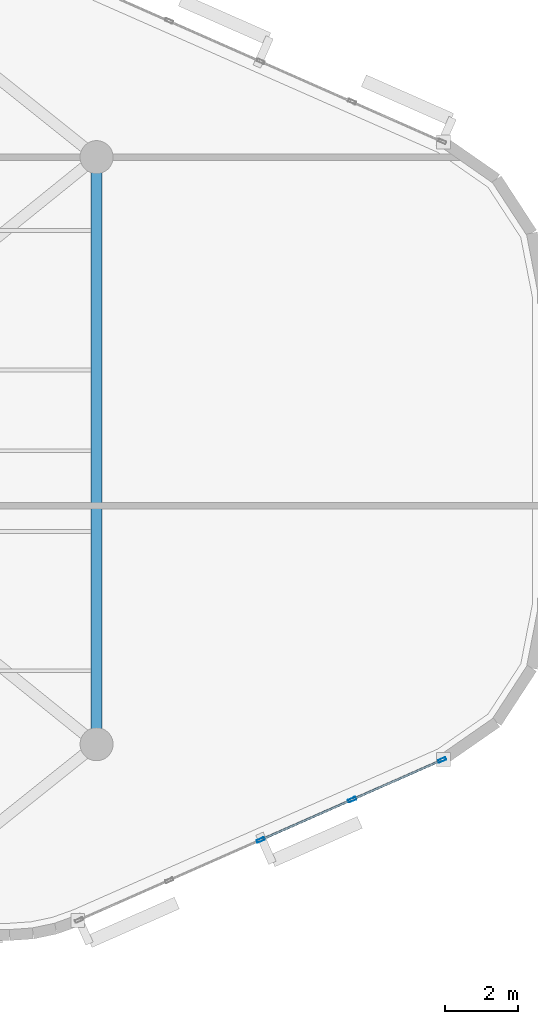
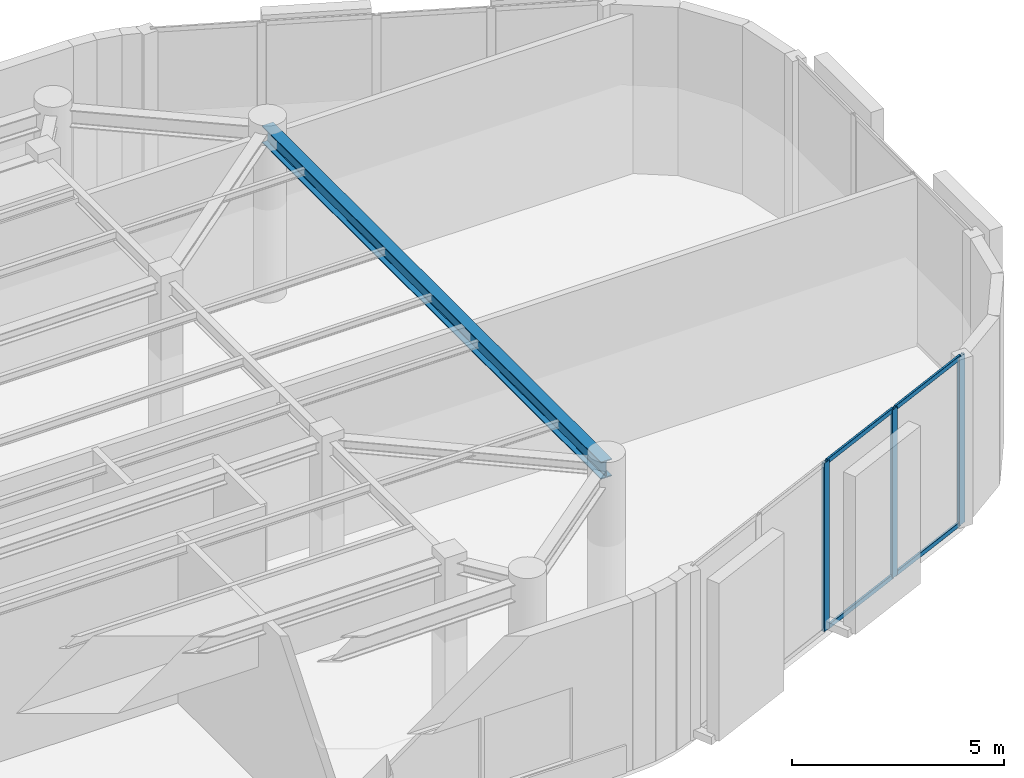
# One storey, part 3 of 12: 7 members, 1 beam, 1 element without a shape of its own.
"""IFC4 building model written with IfcOpenShell, lengths in metres."""

from ifc_helpers import new_model, si_unit, direction, frame, origin, origin_2d, place, context, subcontext, project, spatial, hollow_rectangle, i_section, extrude, material, layer, layer_set, material_profile, profile_set, type_object, element, aggregate, save


model = new_model("IFC4")

# Units and contexts
model_context = context("Model", 3, precision=1e-05, world=origin(), true_north=direction((0.0, 1.0)))
body_context = subcontext(model_context, "Body", "Model", "MODEL_VIEW")
ifc_project = project(units=[si_unit("LENGTHUNIT", "METRE"), si_unit("AREAUNIT", "SQUARE_METRE"), si_unit("VOLUMEUNIT", "CUBIC_METRE"), si_unit("PLANEANGLEUNIT", "RADIAN"), si_unit("MASSUNIT", "GRAM", prefix="KILO")], contexts=[model_context])

# Site, building, storey
site_placement = place(None, origin())
site = spatial("IfcSite", under=ifc_project, at=site_placement, CompositionType="ELEMENT")
building_placement = place(site_placement, origin())
building = spatial("IfcBuilding", under=site, at=building_placement, Name="An Khanh Terracotta Commons", CompositionType="ELEMENT")
storey_placement = place(building_placement, frame((0.0, 0.0, 295.300048828125)))
storey = spatial("IfcBuildingStorey", under=building, at=storey_placement, Name="L77", CompositionType="ELEMENT", Elevation=295.300048828125)

# Beam
ifc_material_1 = material(Name="Steel S355J2", Category="steel")
ifc_material_profile_1 = material_profile(ifc_material_1, i_section(OverallWidth=0.300048828125, OverallDepth=0.5, WebThickness=0.014404296875, FlangeThickness=0.028076171875, FilletRadius=0.027099609375, at=origin_2d()), Name="HEB500")
ifc_profile_set_1 = profile_set([ifc_material_profile_1], Name="Steel S355J2")
beam_type = type_object("IfcBeamType", Name="BM-HEB500", PredefinedType="BEAM", material=ifc_profile_set_1)
beam_placement = place(storey_placement, frame((63.39990234375, 16.0, 4.599853515625), z_axis=(0.0, 1.0, 0.0), x_axis=(-1.0, 0.0, 0.0)))
element("IfcBeam", 1, at=beam_placement, inside=storey, type_object=beam_type, Name="L77 Perimeter Ring Spandrel 3", PredefinedType="BEAM", context=body_context, shape_type="SweptSolid", body=[
    extrude(i_section(OverallWidth=0.300048828125, OverallDepth=0.5, WebThickness=0.014404296875, FlangeThickness=0.028076171875, FilletRadius=0.027099609375, at=origin_2d()), origin(), (0.0, 0.0, 1.0), 16.0),
])

# Curtain wall, members
ifc_material_2 = material(Name="Anodised Aluminium 6063-T6", Category="aluminium")
ifc_layer = layer(ifc_material_2, 0.239990234375, Name="Anodised Aluminium 6063-T6")
ifc_layer_set = layer_set([ifc_layer], Name="Anodised Aluminium 6063-T6")
curtain_wall_type = type_object("IfcCurtainWallType", Name="CW-SYS-04", PredefinedType="USERDEFINED", material=ifc_layer_set)
curtain_wall_placement = place(storey_placement, origin())
curtain_wall = element("IfcCurtainWall", 2, at=curtain_wall_placement, inside=storey, type_object=curtain_wall_type, Name="L77 CW-04 Unitised Curtain Wall CW-L77-08", ObjectType="UNITISED CURTAIN WALL", PredefinedType="USERDEFINED")
ifc_material_profile_2 = material_profile(ifc_material_2, hollow_rectangle(XDim=0.080078125, YDim=0.219970703125, WallThickness=0.0048828125, InnerFilletRadius=0.0048828125, OuterFilletRadius=0.010009765625, at=origin_2d()), Name="RHS220x80x5")
ifc_profile_set_2 = profile_set([ifc_material_profile_2], Name="Anodised Aluminium 6063-T6")
member_type_1 = type_object("IfcMemberType", Name="CWM-RHS220x80x5", PredefinedType="MULLION", material=ifc_profile_set_2)
member_1_placement = place(storey_placement, frame((67.8720703125, 13.390380859375, 0.0), z_axis=(0.0, 0.0, 1.0), x_axis=(-0.403676354285, 0.914901853201, 0.0)))
member_1 = element("IfcMember", 3, at=member_1_placement, type_object=member_type_1, Name="CW-04 mullion 3", PredefinedType="MULLION", context=body_context, shape_type="SweptSolid", body=[
    extrude(hollow_rectangle(XDim=0.080078125, YDim=0.219970703125, WallThickness=0.0048828125, InnerFilletRadius=0.0048828125, OuterFilletRadius=0.010009765625, at=origin_2d()), origin(), (0.0, 0.0, 1.0), 4.849853515625),
])
member_2_placement = place(storey_placement, frame((70.364501953125, 14.490234375, 0.0), z_axis=(0.0, 0.0, 1.0), x_axis=(-0.403676354285, 0.914901853201, 0.0)))
member_2 = element("IfcMember", 4, at=member_2_placement, type_object=member_type_1, Name="CW-04 mullion 4", PredefinedType="MULLION", context=body_context, shape_type="SweptSolid", body=[
    extrude(hollow_rectangle(XDim=0.080078125, YDim=0.219970703125, WallThickness=0.0048828125, InnerFilletRadius=0.0048828125, OuterFilletRadius=0.010009765625, at=origin_2d()), origin(), (0.0, 0.0, 1.0), 4.849853515625),
])
member_3_placement = place(storey_placement, frame((72.8203125, 15.573974609375, 0.0), z_axis=(0.0, 0.0, 1.0), x_axis=(-0.403676354285, 0.914901853201, 0.0)))
member_3 = element("IfcMember", 5, at=member_3_placement, type_object=member_type_1, Name="CW-04 mullion 5", PredefinedType="MULLION", context=body_context, shape_type="SweptSolid", body=[
    extrude(hollow_rectangle(XDim=0.080078125, YDim=0.219970703125, WallThickness=0.0048828125, InnerFilletRadius=0.0048828125, OuterFilletRadius=0.010009765625, at=origin_2d()), origin(), (0.0, 0.0, 1.0), 4.849853515625),
])
ifc_material_profile_3 = material_profile(ifc_material_2, hollow_rectangle(XDim=0.06005859375, YDim=0.135009765625, WallThickness=0.003662109375, InnerFilletRadius=0.003662109375, OuterFilletRadius=0.007080078125, at=origin_2d()), Name="RHS135x60x3.6")
ifc_profile_set_3 = profile_set([ifc_material_profile_3], Name="Anodised Aluminium 6063-T6")
member_type_2 = type_object("IfcMemberType", Name="CWT-RHS135x60x3.6", PredefinedType="USERDEFINED", material=ifc_profile_set_3)
member_4_placement = place(storey_placement, frame((67.90869140625, 13.40673828125, 0.030029296875), z_axis=(0.914904763816, 0.403669757534, 0.0), x_axis=(-0.403669757534, 0.914904763816, 0.0)))
member_4 = element("IfcMember", 6, at=member_4_placement, type_object=member_type_2, Name="CW-04 transom 3.1", ObjectType="TRANSOM", PredefinedType="USERDEFINED", context=body_context, shape_type="SweptSolid", body=[
    extrude(hollow_rectangle(XDim=0.06005859375, YDim=0.135009765625, WallThickness=0.003662109375, InnerFilletRadius=0.003662109375, OuterFilletRadius=0.007080078125, at=origin_2d()), origin(), (0.0, 0.0, 1.0), 2.644287109375),
])
member_5_placement = place(storey_placement, frame((67.90869140625, 13.40673828125, 4.820068359375), z_axis=(0.914904763816, 0.403669757534, 0.0), x_axis=(-0.403669757534, 0.914904763816, 0.0)))
member_5 = element("IfcMember", 7, at=member_5_placement, type_object=member_type_2, Name="CW-04 transom 3.2", ObjectType="TRANSOM", PredefinedType="USERDEFINED", context=body_context, shape_type="SweptSolid", body=[
    extrude(hollow_rectangle(XDim=0.06005859375, YDim=0.135009765625, WallThickness=0.003662109375, InnerFilletRadius=0.003662109375, OuterFilletRadius=0.007080078125, at=origin_2d()), origin(), (0.0, 0.0, 1.0), 2.644287109375),
])
member_6_placement = place(storey_placement, frame((70.401123046875, 14.50634765625, 0.030029296875), z_axis=(0.914898453294, 0.40368405983, 0.0), x_axis=(-0.40368405983, 0.914898453294, 0.0)))
member_6 = element("IfcMember", 8, at=member_6_placement, type_object=member_type_2, Name="CW-04 transom 4.1", ObjectType="TRANSOM", PredefinedType="USERDEFINED", context=body_context, shape_type="SweptSolid", body=[
    extrude(hollow_rectangle(XDim=0.06005859375, YDim=0.135009765625, WallThickness=0.003662109375, InnerFilletRadius=0.003662109375, OuterFilletRadius=0.007080078125, at=origin_2d()), origin(), (0.0, 0.0, 1.0), 2.604248046875),
])
member_7_placement = place(storey_placement, frame((70.401123046875, 14.50634765625, 4.820068359375), z_axis=(0.914898453294, 0.40368405983, 0.0), x_axis=(-0.40368405983, 0.914898453294, 0.0)))
member_7 = element("IfcMember", 9, at=member_7_placement, type_object=member_type_2, Name="CW-04 transom 4.2", ObjectType="TRANSOM", PredefinedType="USERDEFINED", context=body_context, shape_type="SweptSolid", body=[
    extrude(hollow_rectangle(XDim=0.06005859375, YDim=0.135009765625, WallThickness=0.003662109375, InnerFilletRadius=0.003662109375, OuterFilletRadius=0.007080078125, at=origin_2d()), origin(), (0.0, 0.0, 1.0), 2.604248046875),
])
aggregate(curtain_wall, [member_1, member_2, member_3, member_4, member_5, member_6, member_7])

save(model, "model.ifc")
